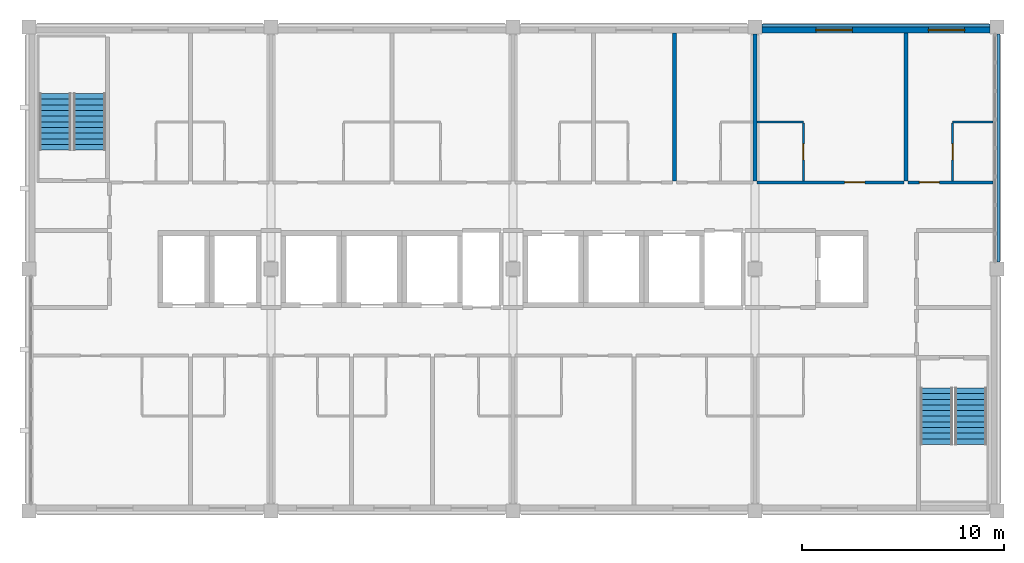
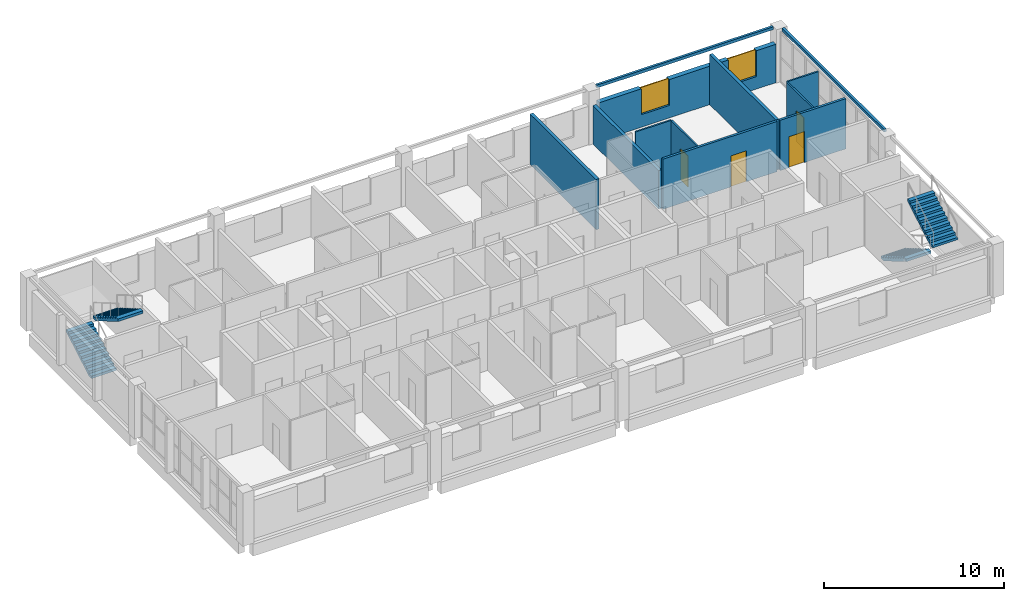
# One storey, part 10 of 11: 12 walls, 4 doors, 4 stair flights, 2 windows, 6 openings, 2 elements without a shape of their own.
"""IFC4 building model written with IfcOpenShell, lengths in metres."""

from ifc_helpers import new_model, si_unit, direction, frame, frame_2d, origin, place, context, subcontext, project, spatial, polyline, rectangle, outline, extrude, material, layer, layer_set, type_object, element, fill, aggregate, save


model = new_model("IFC4")

# Units and contexts
model_context = context("Model", 3, precision=1e-05, world=origin(), true_north=direction((0.0, 1.0)))
body_context = subcontext(model_context, "Body", "Model", "MODEL_VIEW")
ifc_project = project(units=[si_unit("LENGTHUNIT", "METRE"), si_unit("AREAUNIT", "SQUARE_METRE"), si_unit("VOLUMEUNIT", "CUBIC_METRE"), si_unit("PLANEANGLEUNIT", "RADIAN"), si_unit("MASSUNIT", "GRAM", prefix="KILO")], contexts=[model_context])

# Site, building, storey
site_placement = place(None, origin())
site = spatial("IfcSite", under=ifc_project, at=site_placement, CompositionType="ELEMENT")
building_placement = place(site_placement, origin())
building = spatial("IfcBuilding", under=site, at=building_placement, Name="Lilac Gate Convention Centre", CompositionType="ELEMENT")
storey_placement = place(building_placement, frame((0.0, 0.0, 49.800048828125)))
storey = spatial("IfcBuildingStorey", under=building, at=storey_placement, Name="L12", CompositionType="ELEMENT", Elevation=49.800048828125)

# Wall, opening, door
ifc_material_1 = material(Name="Gypsum board on steel stud", Category="steel")
ifc_layer_1 = layer(ifc_material_1, 0.14990234375)
ifc_layer_set_1 = layer_set([ifc_layer_1], Name="Gypsum board on steel stud")
wall_type_1 = type_object("IfcWallType", Name="Corridor wall 150", PredefinedType="PARTITIONING", material=ifc_layer_set_1)
wall_1_placement = place(storey_placement, frame((78.10009765625, 238.300048828125, 0.0), z_axis=(0.0, 0.0, 1.0), x_axis=(1.0, 0.0, 0.0)))
wall_1 = element("IfcWall", 1, at=wall_1_placement, inside=storey, type_object=wall_type_1, Name="Corridor wall 150 front 1216", PredefinedType="PARTITIONING", context=body_context, shape_type="SweptSolid", body=[
    extrude(rectangle(XDim=7.2998046875, YDim=0.14990234375, at=frame_2d((3.64990234375, 0.0))), origin(), (0.0, 0.0, 1.0), 3.39990234375),
])
opening_1_placement = place(wall_1_placement, frame((4.35009765625, 0.0, 0.0)))
opening_1 = element("IfcOpeningElement", 2, at=opening_1_placement, cuts=wall_1, Name="Opening T10-038", PredefinedType="OPENING", context=body_context, shape_type="SweptSolid", body=[
    extrude(rectangle(XDim=1.0, YDim=2.10009765625, at=frame_2d((0.5, 1.050048828125))), frame((0.0, 0.0849609375, 0.0), z_axis=(0.0, -1.0, 0.0), x_axis=(1.0, 0.0, 0.0)), (0.0, 0.0, 1.0), 0.169921875),
])
ifc_material_2 = material(Name="Timber", Category="wood")
door_type_1 = type_object("IfcDoorType", Name="Guest room entrance door 1000", OperationType="SINGLE_SWING_LEFT", PredefinedType="DOOR", material=ifc_material_2)
door_1_placement = place(opening_1_placement, origin())
door_1 = element("IfcDoor", 3, at=door_1_placement, inside=storey, type_object=door_type_1, Name="Guest room door 1216", OperationType="SINGLE_SWING_LEFT", OverallHeight=2.10009765625, OverallWidth=1.0, PredefinedType="DOOR", context=body_context, shape_type="SweptSolid", body=[
    extrude(rectangle(XDim=1.0, YDim=2.10009765625, at=frame_2d((0.5, 1.050048828125))), frame((0.0, 0.02490234375, 0.0), z_axis=(0.0, -1.0, 0.0), x_axis=(1.0, 0.0, 0.0)), (0.0, 0.0, 1.0), 0.050048828125),
])
fill(opening_1, door_1)

wall_2_placement = place(storey_placement, frame((85.60009765625, 238.300048828125, 0.0), z_axis=(0.0, 0.0, 1.0), x_axis=(1.0, 0.0, 0.0)))
wall_2 = element("IfcWall", 4, at=wall_2_placement, inside=storey, type_object=wall_type_1, Name="Corridor wall 150 front 1217", PredefinedType="PARTITIONING", context=body_context, shape_type="SweptSolid", body=[
    extrude(rectangle(XDim=4.19970703125, YDim=0.14990234375, at=frame_2d((2.099853515625, 0.0))), origin(), (0.0, 0.0, 1.0), 3.39990234375),
])
opening_2_placement = place(wall_2_placement, frame((0.550048828125, 0.0, 0.0)))
opening_2 = element("IfcOpeningElement", 5, at=opening_2_placement, cuts=wall_2, Name="Opening T10-040", PredefinedType="OPENING", context=body_context, shape_type="SweptSolid", body=[
    extrude(rectangle(XDim=1.0, YDim=2.10009765625, at=frame_2d((0.5, 1.050048828125))), frame((0.0, 0.0849609375, 0.0), z_axis=(0.0, -1.0, 0.0), x_axis=(1.0, 0.0, 0.0)), (0.0, 0.0, 1.0), 0.169921875),
])
door_2_placement = place(opening_2_placement, origin())
door_2 = element("IfcDoor", 6, at=door_2_placement, inside=storey, type_object=door_type_1, Name="Guest room door 1217", OperationType="SINGLE_SWING_LEFT", OverallHeight=2.10009765625, OverallWidth=1.0, PredefinedType="DOOR", context=body_context, shape_type="SweptSolid", body=[
    extrude(rectangle(XDim=1.0, YDim=2.10009765625, at=frame_2d((0.5, 1.050048828125))), frame((0.0, 0.02490234375, 0.0), z_axis=(0.0, -1.0, 0.0), x_axis=(1.0, 0.0, 0.0)), (0.0, 0.0, 1.0), 0.050048828125),
])
fill(opening_2, door_2)

# Wall
ifc_layer_2 = layer(ifc_material_1, 0.10009765625)
ifc_layer_set_2 = layer_set([ifc_layer_2], Name="Gypsum board on steel stud")
wall_type_2 = type_object("IfcWallType", Name="En-suite wall 100", PredefinedType="PARTITIONING", material=ifc_layer_set_2)
wall_3_placement = place(storey_placement, frame((78.10009765625, 241.300048828125, 0.0), z_axis=(0.0, 0.0, 1.0), x_axis=(1.0, 0.0, 0.0)))
element("IfcWall", 7, at=wall_3_placement, inside=storey, type_object=wall_type_2, Name="En-suite wall 100 bath 1216", PredefinedType="PARTITIONING", context=body_context, shape_type="SweptSolid", body=[
    extrude(rectangle(XDim=2.2998046875, YDim=0.10009765625, at=frame_2d((1.14990234375, 0.0))), origin(), (0.0, 0.0, 1.0), 3.39990234375),
])

# Wall, opening, door
wall_4_placement = place(storey_placement, frame((80.39990234375, 241.25, 0.0), z_axis=(0.0, 0.0, 1.0), x_axis=(0.0, -1.0, 0.0)))
wall_4 = element("IfcWall", 8, at=wall_4_placement, inside=storey, type_object=wall_type_2, Name="En-suite wall 100 bath side 1216", PredefinedType="PARTITIONING", context=body_context, shape_type="SweptSolid", body=[
    extrude(rectangle(XDim=2.875, YDim=0.10009765625, at=frame_2d((1.4375, 0.0))), origin(), (0.0, 0.0, 1.0), 3.39990234375),
])
opening_3_placement = place(wall_4_placement, frame((1.03759765625, 0.0, 0.0)))
opening_3 = element("IfcOpeningElement", 9, at=opening_3_placement, cuts=wall_4, Name="Opening T10-039", PredefinedType="OPENING", context=body_context, shape_type="SweptSolid", body=[
    extrude(rectangle(XDim=0.800048828125, YDim=2.10009765625, at=frame_2d((0.39990234375, 1.050048828125))), frame((0.0, 0.06005859375, 0.0), z_axis=(0.0, -1.0, 0.0), x_axis=(1.0, 0.0, 0.0)), (0.0, 0.0, 1.0), 0.1201171875),
])
door_type_2 = type_object("IfcDoorType", Name="En-suite door 800", OperationType="SINGLE_SWING_LEFT", PredefinedType="DOOR", material=ifc_material_2)
door_3_placement = place(opening_3_placement, origin())
door_3 = element("IfcDoor", 10, at=door_3_placement, inside=storey, type_object=door_type_2, Name="En-suite door 1216", OperationType="SINGLE_SWING_RIGHT", OverallHeight=2.10009765625, OverallWidth=0.800048828125, PredefinedType="DOOR", context=body_context, shape_type="SweptSolid", body=[
    extrude(rectangle(XDim=0.800048828125, YDim=2.10009765625, at=frame_2d((0.39990234375, 1.050048828125))), frame((0.0, 0.02490234375, 0.0), z_axis=(0.0, -1.0, 0.0), x_axis=(1.0, 0.0, 0.0)), (0.0, 0.0, 1.0), 0.050048828125),
])
fill(opening_3, door_3)

# Wall
wall_5_placement = place(storey_placement, frame((87.800048828125, 241.300048828125, 0.0), z_axis=(0.0, 0.0, 1.0), x_axis=(1.0, 0.0, 0.0)))
element("IfcWall", 11, at=wall_5_placement, inside=storey, type_object=wall_type_2, Name="En-suite wall 100 bath 1217", PredefinedType="PARTITIONING", context=body_context, shape_type="SweptSolid", body=[
    extrude(rectangle(XDim=1.999755859375, YDim=0.10009765625, at=frame_2d((1.0, 0.0))), origin(), (0.0, 0.0, 1.0), 3.39990234375),
])

# Wall, opening, door
wall_6_placement = place(storey_placement, frame((87.800048828125, 238.375, 0.0), z_axis=(0.0, 0.0, 1.0), x_axis=(0.0, 1.0, 0.0)))
wall_6 = element("IfcWall", 12, at=wall_6_placement, inside=storey, type_object=wall_type_2, Name="En-suite wall 100 bath side 1217", PredefinedType="PARTITIONING", context=body_context, shape_type="SweptSolid", body=[
    extrude(rectangle(XDim=2.875, YDim=0.10009765625, at=frame_2d((1.4375, 0.0))), origin(), (0.0, 0.0, 1.0), 3.39990234375),
])
opening_4_placement = place(wall_6_placement, frame((1.03759765625, 0.0, 0.0)))
opening_4 = element("IfcOpeningElement", 13, at=opening_4_placement, cuts=wall_6, Name="Opening T10-041", PredefinedType="OPENING", context=body_context, shape_type="SweptSolid", body=[
    extrude(rectangle(XDim=0.800048828125, YDim=2.10009765625, at=frame_2d((0.39990234375, 1.050048828125))), frame((0.0, 0.06005859375, 0.0), z_axis=(0.0, -1.0, 0.0), x_axis=(1.0, 0.0, 0.0)), (0.0, 0.0, 1.0), 0.1201171875),
])
door_4_placement = place(opening_4_placement, origin())
door_4 = element("IfcDoor", 14, at=door_4_placement, inside=storey, type_object=door_type_2, Name="En-suite door 1217", OperationType="SINGLE_SWING_LEFT", OverallHeight=2.10009765625, OverallWidth=0.800048828125, PredefinedType="DOOR", context=body_context, shape_type="SweptSolid", body=[
    extrude(rectangle(XDim=0.800048828125, YDim=2.10009765625, at=frame_2d((0.39990234375, 1.050048828125))), frame((0.0, 0.02490234375, 0.0), z_axis=(0.0, -1.0, 0.0), x_axis=(1.0, 0.0, 0.0)), (0.0, 0.0, 1.0), 0.050048828125),
])
fill(opening_4, door_4)

# Walls
ifc_layer_3 = layer(ifc_material_1, 0.199951171875)
ifc_layer_set_3 = layer_set([ifc_layer_3], Name="Gypsum board on steel stud")
wall_type_3 = type_object("IfcWallType", Name="Guest room party wall 200", PredefinedType="PARTITIONING", material=ifc_layer_set_3)
wall_7_placement = place(storey_placement, frame((74.0, 245.7001953125, 0.0), z_axis=(0.0, 0.0, 1.0), x_axis=(0.0, -1.0, 0.0)))
element("IfcWall", 15, at=wall_7_placement, inside=storey, type_object=wall_type_3, Name="Guest room party wall 200 party 74.0", PredefinedType="PARTITIONING", context=body_context, shape_type="SweptSolid", body=[
    extrude(rectangle(XDim=7.3251953125, YDim=0.199951171875, at=frame_2d((3.66259765625, 0.0))), origin(), (0.0, 0.0, 1.0), 3.39990234375),
])
wall_8_placement = place(storey_placement, frame((78.0, 245.64990234375, 0.0), z_axis=(0.0, 0.0, 1.0), x_axis=(0.0, -1.0, 0.0)))
element("IfcWall", 16, at=wall_8_placement, inside=storey, type_object=wall_type_3, Name="Guest room party wall 200 party 78.0", PredefinedType="PARTITIONING", context=body_context, shape_type="SweptSolid", body=[
    extrude(rectangle(XDim=7.27490234375, YDim=0.199951171875, at=frame_2d((3.637451171875, 0.0))), origin(), (0.0, 0.0, 1.0), 2.599853515625),
])
wall_9_placement = place(storey_placement, frame((85.5, 245.7001953125, 0.0), z_axis=(0.0, 0.0, 1.0), x_axis=(0.0, -1.0, 0.0)))
element("IfcWall", 17, at=wall_9_placement, inside=storey, type_object=wall_type_3, Name="Guest room party wall 200 party 85.5", PredefinedType="PARTITIONING", context=body_context, shape_type="SweptSolid", body=[
    extrude(rectangle(XDim=7.3251953125, YDim=0.199951171875, at=frame_2d((3.66259765625, 0.0))), origin(), (0.0, 0.0, 1.0), 3.39990234375),
])
ifc_material_3 = material(Name="Concrete C40 precast", Category="concrete")
ifc_layer_4 = layer(ifc_material_3, 0.1298828125)
ifc_material_4 = material(Name="Teal glazed cladding")
ifc_layer_5 = layer(ifc_material_4, 0.02001953125)
ifc_layer_set_4 = layer_set([ifc_layer_4, ifc_layer_5], Name="Concrete C40 precast, Teal glazed cladding")
wall_type_4 = type_object("IfcWallType", Name="Precast band teal 150", PredefinedType="STANDARD", material=ifc_layer_set_4)
for number, where, z_axis, x_axis, name in (
    (18, (90.074951171875, 234.35009765625, 3.39990234375), (0.0, 0.0, 1.0), (0.0, 1.0, 0.0), "Precast band E L12 2"),
    (19, (89.64990234375, 246.074951171875, 3.39990234375), (0.0, 0.0, 1.0), (-1.0, 0.0, 0.0), "Precast band N L12 1"),
):
    element("IfcWall", number, at=place(storey_placement, frame(where, z_axis=z_axis, x_axis=x_axis)), inside=storey, type_object=wall_type_4, Name=name, PredefinedType="STANDARD", context=body_context, shape_type="SweptSolid", body=[
        extrude(rectangle(XDim=11.2998046875, YDim=0.14990234375, at=frame_2d((5.64990234375, 0.0))), origin(), (0.0, 0.0, 1.0), 0.199951171875),
    ])

# Wall, openings, windows
ifc_material_5 = material(Name="Ochre mineral render")
ifc_layer_6 = layer(ifc_material_5, 0.02001953125)
ifc_layer_7 = layer(ifc_material_3, 0.06005859375)
ifc_material_6 = material(Name="Ventilated air cavity")
ifc_layer_8 = layer(ifc_material_6, 0.030029296875)
ifc_material_7 = material(Name="Mineral wool insulation")
ifc_layer_9 = layer(ifc_material_7, 0.1201171875)
ifc_material_8 = material(Name="Steel stud Q345 and gypsum lining", Category="steel")
ifc_layer_10 = layer(ifc_material_8, 0.070068359375)
ifc_layer_set_5 = layer_set([ifc_layer_6, ifc_layer_7, ifc_layer_8, ifc_layer_9, ifc_layer_10], Name="Ochre mineral render, Concrete C40 precast, Ventilated air cavity, Mineral wool insulation, Steel stud Q345 and gypsum lining")
wall_type_5 = type_object("IfcWallType", Name="Precast panel wall ochre 300", PredefinedType="STANDARD", material=ifc_layer_set_5)
wall_10_placement = place(storey_placement, frame((89.64990234375, 245.85009765625, 0.0), z_axis=(0.0, 0.0, 1.0), x_axis=(-1.0, 0.0, 0.0)))
wall_10 = element("IfcWall", 20, at=wall_10_placement, inside=storey, type_object=wall_type_5, Name="External wall N L12 1", PredefinedType="STANDARD", context=body_context, shape_type="SweptSolid", body=[
    extrude(rectangle(XDim=11.2998046875, YDim=0.300048828125, at=frame_2d((5.64990234375, 0.0))), origin(), (0.0, 0.0, 1.0), 2.599853515625),
])
opening_5_placement = place(wall_10_placement, frame((6.824951171875, 0.0, 0.85009765625)))
opening_5 = element("IfcOpeningElement", 21, at=opening_5_placement, cuts=wall_10, Name="Opening W1", PredefinedType="OPENING", context=body_context, shape_type="SweptSolid", body=[
    extrude(rectangle(XDim=1.800048828125, YDim=1.75, at=frame_2d((0.89990234375, 0.875))), frame((0.0, 0.159912109375, 0.0), z_axis=(0.0, -1.0, 0.0), x_axis=(1.0, 0.0, 0.0)), (0.0, 0.0, 1.0), 0.320068359375),
])
opening_6_placement = place(wall_10_placement, frame((1.25, 0.0, 0.85009765625)))
opening_6 = element("IfcOpeningElement", 22, at=opening_6_placement, cuts=wall_10, Name="Opening W1", PredefinedType="OPENING", context=body_context, shape_type="SweptSolid", body=[
    extrude(rectangle(XDim=1.800048828125, YDim=1.75, at=frame_2d((0.89990234375, 0.875))), frame((0.0, 0.159912109375, 0.0), z_axis=(0.0, -1.0, 0.0), x_axis=(1.0, 0.0, 0.0)), (0.0, 0.0, 1.0), 0.320068359375),
])
ifc_material_9 = material(Name="Aluminium framed double glazing", Category="aluminium")
window_type = type_object("IfcWindowType", Name="Guest room window 1800 x 1750", PartitioningType="DOUBLE_PANEL_VERTICAL", PredefinedType="WINDOW", material=ifc_material_9)
window_1_placement = place(opening_5_placement, origin())
window_1 = element("IfcWindow", 23, at=window_1_placement, inside=storey, type_object=window_type, Name="Window Guest N L12", OverallHeight=1.75, OverallWidth=1.800048828125, PartitioningType="SINGLE_PANEL", PredefinedType="WINDOW", context=body_context, shape_type="SweptSolid", body=[
    extrude(rectangle(XDim=1.800048828125, YDim=1.75, at=frame_2d((0.89990234375, 0.875))), frame((0.0, 0.030029296875, 0.0), z_axis=(0.0, -1.0, 0.0), x_axis=(1.0, 0.0, 0.0)), (0.0, 0.0, 1.0), 0.06005859375),
])
fill(opening_5, window_1)
window_2_placement = place(opening_6_placement, origin())
window_2 = element("IfcWindow", 24, at=window_2_placement, inside=storey, type_object=window_type, Name="Window Guest N L12", OverallHeight=1.75, OverallWidth=1.800048828125, PartitioningType="SINGLE_PANEL", PredefinedType="WINDOW", context=body_context, shape_type="SweptSolid", body=[
    extrude(rectangle(XDim=1.800048828125, YDim=1.75, at=frame_2d((0.89990234375, 0.875))), frame((0.0, 0.030029296875, 0.0), z_axis=(0.0, -1.0, 0.0), x_axis=(1.0, 0.0, 0.0)), (0.0, 0.0, 1.0), 0.06005859375),
])
fill(opening_6, window_2)

# Stair, stair flights
ifc_material_10 = material(Name="Concrete C40", Category="concrete")
stair_type = type_object("IfcStairType", Name="Exit stair", PredefinedType="DOUBLE_RETURN_STAIR", material=ifc_material_10)
stair_1_placement = place(storey_placement, origin())
stair_1 = element("IfcStair", 25, at=stair_1_placement, inside=storey, type_object=stair_type, Name="Exit stair NW L12", PredefinedType="DOUBLE_RETURN_STAIR")
stair_flight_type = type_object("IfcStairFlightType", Name="Exit stair flight", PredefinedType="STRAIGHT", material=ifc_material_10)
stair_flight_1_placement = place(storey_placement, frame((43.300048828125, 239.89990234375, 0.0), z_axis=(0.0, 0.0, 1.0), x_axis=(0.0, 1.0, 0.0)))
stair_flight_1 = element("IfcStairFlight", 26, at=stair_flight_1_placement, type_object=stair_flight_type, Name="ST-NW flight 1", NumberOfRisers=11, NumberOfTreads=10, PredefinedType="STRAIGHT", RiserHeight=0.163636364, TreadLength=0.28, context=body_context, shape_type="SweptSolid", body=[
    extrude(outline(polyline([(0.0, 0.0), (0.0, 0.16357421875), (0.280029296875, 0.16357421875), (0.280029296875, 0.327392578125), (0.56005859375, 0.327392578125), (0.56005859375, 0.490966796875), (0.840087890625, 0.490966796875), (0.840087890625, 0.654541015625), (1.1201171875, 0.654541015625), (1.1201171875, 0.818115234375), (1.39990234375, 0.818115234375), (1.39990234375, 0.98193359375), (1.679931640625, 0.98193359375), (1.679931640625, 1.1455078125), (1.9599609375, 1.1455078125), (1.9599609375, 1.30908203125), (2.239990234375, 1.30908203125), (2.239990234375, 1.47265625), (2.52001953125, 1.47265625), (2.52001953125, 1.636474609375), (2.800048828125, 1.636474609375), (2.800048828125, 1.800048828125), (2.800048828125, 1.462646484375), (0.297119140625, 0.0), (0.0, 0.0)])), frame((0.0, 0.800048828125, 0.0), z_axis=(0.0, -1.0, 0.0), x_axis=(1.0, 0.0, 0.0)), (0.0, 0.0, 1.0), 1.60009765625),
])
stair_flight_2_placement = place(storey_placement, frame((45.0, 242.699951171875, 1.800048828125), z_axis=(0.0, 0.0, 1.0), x_axis=(0.0, -1.0, 0.0)))
stair_flight_2 = element("IfcStairFlight", 27, at=stair_flight_2_placement, type_object=stair_flight_type, Name="ST-NW flight 2", NumberOfRisers=11, NumberOfTreads=10, PredefinedType="STRAIGHT", RiserHeight=0.163636364, TreadLength=0.28, context=body_context, shape_type="SweptSolid", body=[
    extrude(outline(polyline([(0.0, 0.0), (0.0, 0.16357421875), (0.280029296875, 0.16357421875), (0.280029296875, 0.327392578125), (0.56005859375, 0.327392578125), (0.56005859375, 0.490966796875), (0.840087890625, 0.490966796875), (0.840087890625, 0.654541015625), (1.1201171875, 0.654541015625), (1.1201171875, 0.818115234375), (1.39990234375, 0.818115234375), (1.39990234375, 0.98193359375), (1.679931640625, 0.98193359375), (1.679931640625, 1.1455078125), (1.9599609375, 1.1455078125), (1.9599609375, 1.30908203125), (2.239990234375, 1.30908203125), (2.239990234375, 1.47265625), (2.52001953125, 1.47265625), (2.52001953125, 1.636474609375), (2.800048828125, 1.636474609375), (2.800048828125, 1.800048828125), (2.800048828125, 1.462646484375), (0.297119140625, 0.0), (0.0, 0.0)])), frame((0.0, 0.800048828125, 0.0), z_axis=(0.0, -1.0, 0.0), x_axis=(1.0, 0.0, 0.0)), (0.0, 0.0, 1.0), 1.60009765625),
])
aggregate(stair_1, [stair_flight_1, stair_flight_2])

stair_2_placement = place(storey_placement, origin())
stair_2 = element("IfcStair", 28, at=stair_2_placement, inside=storey, type_object=stair_type, Name="Exit stair SE L12", PredefinedType="DOUBLE_RETURN_STAIR")
stair_flight_3_placement = place(storey_placement, frame((87.0, 228.10009765625, 0.0), z_axis=(0.0, 0.0, 1.0), x_axis=(0.0, -1.0, 0.0)))
stair_flight_3 = element("IfcStairFlight", 29, at=stair_flight_3_placement, type_object=stair_flight_type, Name="ST-SE flight 1", NumberOfRisers=11, NumberOfTreads=10, PredefinedType="STRAIGHT", RiserHeight=0.163636364, TreadLength=0.28, context=body_context, shape_type="SweptSolid", body=[
    extrude(outline(polyline([(0.0, 0.0), (0.0, 0.16357421875), (0.280029296875, 0.16357421875), (0.280029296875, 0.327392578125), (0.56005859375, 0.327392578125), (0.56005859375, 0.490966796875), (0.840087890625, 0.490966796875), (0.840087890625, 0.654541015625), (1.1201171875, 0.654541015625), (1.1201171875, 0.818115234375), (1.39990234375, 0.818115234375), (1.39990234375, 0.98193359375), (1.679931640625, 0.98193359375), (1.679931640625, 1.1455078125), (1.9599609375, 1.1455078125), (1.9599609375, 1.30908203125), (2.239990234375, 1.30908203125), (2.239990234375, 1.47265625), (2.52001953125, 1.47265625), (2.52001953125, 1.636474609375), (2.800048828125, 1.636474609375), (2.800048828125, 1.800048828125), (2.800048828125, 1.462646484375), (0.297119140625, 0.0), (0.0, 0.0)])), frame((0.0, 0.800048828125, 0.0), z_axis=(0.0, -1.0, 0.0), x_axis=(1.0, 0.0, 0.0)), (0.0, 0.0, 1.0), 1.60009765625),
])
stair_flight_4_placement = place(storey_placement, frame((88.699951171875, 225.300048828125, 1.800048828125), z_axis=(0.0, 0.0, 1.0), x_axis=(0.0, 1.0, 0.0)))
stair_flight_4 = element("IfcStairFlight", 30, at=stair_flight_4_placement, type_object=stair_flight_type, Name="ST-SE flight 2", NumberOfRisers=11, NumberOfTreads=10, PredefinedType="STRAIGHT", RiserHeight=0.163636364, TreadLength=0.28, context=body_context, shape_type="SweptSolid", body=[
    extrude(outline(polyline([(0.0, 0.0), (0.0, 0.16357421875), (0.280029296875, 0.16357421875), (0.280029296875, 0.327392578125), (0.56005859375, 0.327392578125), (0.56005859375, 0.490966796875), (0.840087890625, 0.490966796875), (0.840087890625, 0.654541015625), (1.1201171875, 0.654541015625), (1.1201171875, 0.818115234375), (1.39990234375, 0.818115234375), (1.39990234375, 0.98193359375), (1.679931640625, 0.98193359375), (1.679931640625, 1.1455078125), (1.9599609375, 1.1455078125), (1.9599609375, 1.30908203125), (2.239990234375, 1.30908203125), (2.239990234375, 1.47265625), (2.52001953125, 1.47265625), (2.52001953125, 1.636474609375), (2.800048828125, 1.636474609375), (2.800048828125, 1.800048828125), (2.800048828125, 1.462646484375), (0.297119140625, 0.0), (0.0, 0.0)])), frame((0.0, 0.800048828125, 0.0), z_axis=(0.0, -1.0, 0.0), x_axis=(1.0, 0.0, 0.0)), (0.0, 0.0, 1.0), 1.60009765625),
])
aggregate(stair_2, [stair_flight_3, stair_flight_4])

save(model, "model.ifc")
